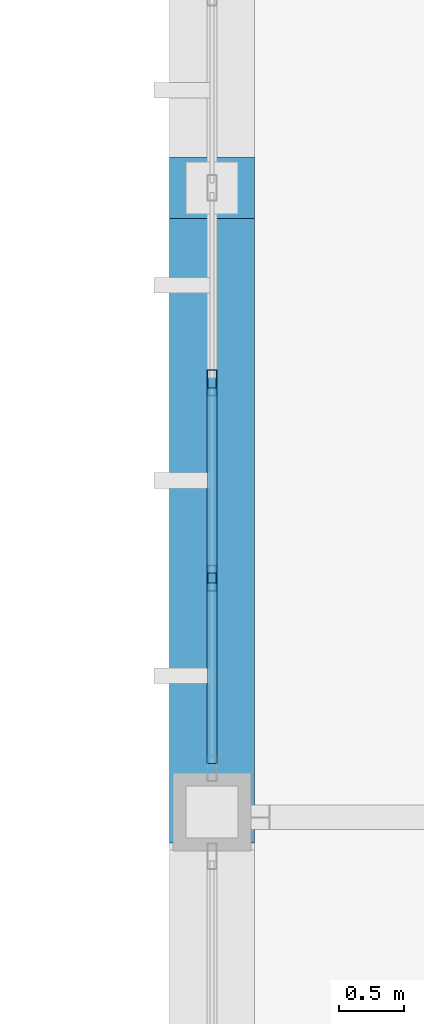
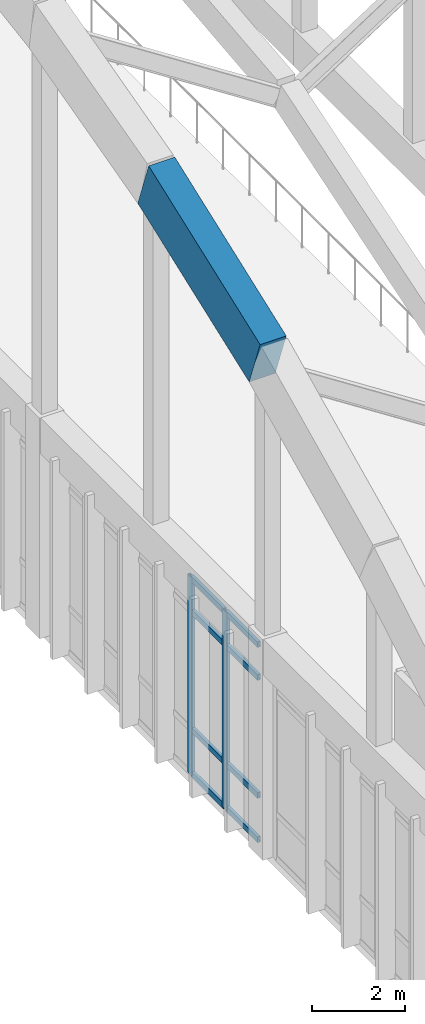
# One storey, part 33 of 236: 11 members, 1 element without a shape of its own.
"""IFC4 building model written with IfcOpenShell, lengths in metres."""

from ifc_helpers import new_model, si_unit, direction, frame, origin, origin_2d, place, context, subcontext, project, spatial, rectangle, hollow_rectangle, extrude, material, layer, layer_set, material_profile, profile_set, type_object, element, aggregate, save


model = new_model("IFC4")

# Units and contexts
model_context = context("Model", 3, precision=1e-05, world=origin(), true_north=direction((0.0, 1.0)))
body_context = subcontext(model_context, "Body", "Model", "MODEL_VIEW")
ifc_project = project(units=[si_unit("LENGTHUNIT", "METRE"), si_unit("AREAUNIT", "SQUARE_METRE"), si_unit("VOLUMEUNIT", "CUBIC_METRE"), si_unit("PLANEANGLEUNIT", "RADIAN"), si_unit("MASSUNIT", "GRAM", prefix="KILO")], contexts=[model_context])

# Site, building, storey
site_placement = place(None, origin())
site = spatial("IfcSite", under=ifc_project, at=site_placement, CompositionType="ELEMENT")
building_placement = place(site_placement, origin())
building = spatial("IfcBuilding", under=site, at=building_placement, Name="Pandanus Reach Market Hall", CompositionType="ELEMENT")
storey_placement = place(building_placement, frame((0.0, 0.0, 5.39990234375)))
storey = spatial("IfcBuildingStorey", under=building, at=storey_placement, Name="L01", CompositionType="ELEMENT", Elevation=5.39990234375)

# Member
ifc_material_1 = material(Name="Concrete N50 (50 MPa)", Category="concrete")
ifc_material_profile_1 = material_profile(ifc_material_1, rectangle(XDim=0.64990234375, YDim=1.35009765625, at=origin_2d()), Name="RC650x1350", Category="LoadBearing")
ifc_profile_set_1 = profile_set([ifc_material_profile_1], Name="Concrete N50 (50 MPa)")
member_type_1 = type_object("IfcMemberType", Name="AR-RC650-E", PredefinedType="CHORD", material=ifc_profile_set_1)
member_1_placement = place(storey_placement, frame((48.0, 38.39990234375, 12.89111328125), z_axis=(0.0, 0.937030438748, 0.349247701294), x_axis=(-1.0, 0.0, 0.0)))
element("IfcMember", 1, at=member_1_placement, inside=storey, type_object=member_type_1, Name="Parabolic arch top chord A1.3", PredefinedType="CHORD", context=body_context, shape_type="SweptSolid", body=[
    extrude(rectangle(XDim=0.64990234375, YDim=1.35009765625, at=origin_2d()), origin(), (0.0, 0.0, 1.0), 5.12255859375),
])

# Curtain wall, members
ifc_material_2 = material(Name="Bronze anodised aluminium and low-E glass", Category="aluminium")
ifc_layer = layer(ifc_material_2, 0.199951171875, Name="CW-05")
ifc_layer_set = layer_set([ifc_layer], Name="Bronze anodised aluminium and low-E glass")
curtain_wall_type = type_object("IfcCurtainWallType", Name="CW-05", PredefinedType="NOTDEFINED", material=ifc_layer_set)
curtain_wall_placement = place(storey_placement, origin())
curtain_wall = element("IfcCurtainWall", 2, at=curtain_wall_placement, inside=storey, type_object=curtain_wall_type, Name="Glazed curtain wall CW-05 CW-0022", PredefinedType="NOTDEFINED")
ifc_material_3 = material(Name="Bronze anodised aluminium", Category="aluminium")
ifc_material_profile_2 = material_profile(ifc_material_3, hollow_rectangle(XDim=0.074951171875, YDim=0.199951171875, WallThickness=0.00439453125, at=origin_2d()), Name="ALU75x200", Category="LoadBearing")
ifc_profile_set_2 = profile_set([ifc_material_profile_2], Name="Bronze anodised aluminium")
member_type_2 = type_object("IfcMemberType", Name="CW-M2", PredefinedType="MULLION", material=ifc_profile_set_2)
member_2_placement = place(storey_placement, frame((48.0, 40.199951171875, 0.0), z_axis=(0.0, 0.0, 1.0), x_axis=(-1.0, 0.0, 0.0)))
member_2 = element("IfcMember", 3, at=member_2_placement, type_object=member_type_2, Name="CW-05 mullion 2", PredefinedType="MULLION", context=body_context, shape_type="SweptSolid", body=[
    extrude(hollow_rectangle(XDim=0.074951171875, YDim=0.199951171875, WallThickness=0.00439453125, at=origin_2d()), origin(), (0.0, 0.0, 1.0), 5.2001953125),
])
member_3_placement = place(storey_placement, frame((48.0, 41.699951171875, 0.0), z_axis=(0.0, 0.0, 1.0), x_axis=(-1.0, 0.0, 0.0)))
member_3 = element("IfcMember", 4, at=member_3_placement, type_object=member_type_2, Name="CW-05 mullion 3", PredefinedType="MULLION", context=body_context, shape_type="SweptSolid", body=[
    extrude(hollow_rectangle(XDim=0.074951171875, YDim=0.199951171875, WallThickness=0.00439453125, at=origin_2d()), origin(), (0.0, 0.0, 1.0), 5.2001953125),
])
ifc_material_profile_3 = material_profile(ifc_material_3, hollow_rectangle(XDim=0.074951171875, YDim=0.14990234375, WallThickness=0.00439453125, at=origin_2d()), Name="ALU75x150", Category="LoadBearing")
ifc_profile_set_3 = profile_set([ifc_material_profile_3], Name="Bronze anodised aluminium")
member_type_3 = type_object("IfcMemberType", Name="CW-T2", PredefinedType="USERDEFINED", material=ifc_profile_set_3)
member_4_placement = place(storey_placement, frame((48.0, 38.77490234375, 0.03759765625), z_axis=(0.0, 1.0, 0.0), x_axis=(-1.0, 0.0, 0.0)))
member_4 = element("IfcMember", 5, at=member_4_placement, type_object=member_type_3, Name="CW-05 transom 1.1", ObjectType="TRANSOM", PredefinedType="USERDEFINED", context=body_context, shape_type="SweptSolid", body=[
    extrude(hollow_rectangle(XDim=0.074951171875, YDim=0.14990234375, WallThickness=0.00439453125, at=origin_2d()), origin(), (0.0, 0.0, 1.0), 1.3876953125),
])
member_5_placement = place(storey_placement, frame((48.0, 38.77490234375, 1.2001953125), z_axis=(0.0, 1.0, 0.0), x_axis=(-1.0, 0.0, 0.0)))
member_5 = element("IfcMember", 6, at=member_5_placement, type_object=member_type_3, Name="CW-05 transom 1.2", ObjectType="TRANSOM", PredefinedType="USERDEFINED", context=body_context, shape_type="SweptSolid", body=[
    extrude(hollow_rectangle(XDim=0.074951171875, YDim=0.14990234375, WallThickness=0.00439453125, at=origin_2d()), origin(), (0.0, 0.0, 1.0), 1.3876953125),
])
member_6_placement = place(storey_placement, frame((48.0, 38.77490234375, 4.300048828125), z_axis=(0.0, 1.0, 0.0), x_axis=(-1.0, 0.0, 0.0)))
member_6 = element("IfcMember", 7, at=member_6_placement, type_object=member_type_3, Name="CW-05 transom 1.3", ObjectType="TRANSOM", PredefinedType="USERDEFINED", context=body_context, shape_type="SweptSolid", body=[
    extrude(hollow_rectangle(XDim=0.074951171875, YDim=0.14990234375, WallThickness=0.00439453125, at=origin_2d()), origin(), (0.0, 0.0, 1.0), 1.3876953125),
])
member_7_placement = place(storey_placement, frame((48.0, 38.77490234375, 5.16259765625), z_axis=(0.0, 1.0, 0.0), x_axis=(-1.0, 0.0, 0.0)))
member_7 = element("IfcMember", 8, at=member_7_placement, type_object=member_type_3, Name="CW-05 transom 1.4", ObjectType="TRANSOM", PredefinedType="USERDEFINED", context=body_context, shape_type="SweptSolid", body=[
    extrude(hollow_rectangle(XDim=0.074951171875, YDim=0.14990234375, WallThickness=0.00439453125, at=origin_2d()), origin(), (0.0, 0.0, 1.0), 1.3876953125),
])
member_8_placement = place(storey_placement, frame((48.0, 40.237548828125, 0.03759765625), z_axis=(0.0, 1.0, 0.0), x_axis=(-1.0, 0.0, 0.0)))
member_8 = element("IfcMember", 9, at=member_8_placement, type_object=member_type_3, Name="CW-05 transom 2.1", ObjectType="TRANSOM", PredefinedType="USERDEFINED", context=body_context, shape_type="SweptSolid", body=[
    extrude(hollow_rectangle(XDim=0.074951171875, YDim=0.14990234375, WallThickness=0.00439453125, at=origin_2d()), origin(), (0.0, 0.0, 1.0), 1.425048828125),
])
member_9_placement = place(storey_placement, frame((48.0, 40.237548828125, 1.2001953125), z_axis=(0.0, 1.0, 0.0), x_axis=(-1.0, 0.0, 0.0)))
member_9 = element("IfcMember", 10, at=member_9_placement, type_object=member_type_3, Name="CW-05 transom 2.2", ObjectType="TRANSOM", PredefinedType="USERDEFINED", context=body_context, shape_type="SweptSolid", body=[
    extrude(hollow_rectangle(XDim=0.074951171875, YDim=0.14990234375, WallThickness=0.00439453125, at=origin_2d()), origin(), (0.0, 0.0, 1.0), 1.425048828125),
])
member_10_placement = place(storey_placement, frame((48.0, 40.237548828125, 4.300048828125), z_axis=(0.0, 1.0, 0.0), x_axis=(-1.0, 0.0, 0.0)))
member_10 = element("IfcMember", 11, at=member_10_placement, type_object=member_type_3, Name="CW-05 transom 2.3", ObjectType="TRANSOM", PredefinedType="USERDEFINED", context=body_context, shape_type="SweptSolid", body=[
    extrude(hollow_rectangle(XDim=0.074951171875, YDim=0.14990234375, WallThickness=0.00439453125, at=origin_2d()), origin(), (0.0, 0.0, 1.0), 1.425048828125),
])
member_11_placement = place(storey_placement, frame((48.0, 40.237548828125, 5.16259765625), z_axis=(0.0, 1.0, 0.0), x_axis=(-1.0, 0.0, 0.0)))
member_11 = element("IfcMember", 12, at=member_11_placement, type_object=member_type_3, Name="CW-05 transom 2.4", ObjectType="TRANSOM", PredefinedType="USERDEFINED", context=body_context, shape_type="SweptSolid", body=[
    extrude(hollow_rectangle(XDim=0.074951171875, YDim=0.14990234375, WallThickness=0.00439453125, at=origin_2d()), origin(), (0.0, 0.0, 1.0), 1.425048828125),
])
aggregate(curtain_wall, [member_2, member_3, member_4, member_5, member_6, member_7, member_8, member_9, member_10, member_11])

save(model, "model.ifc")
